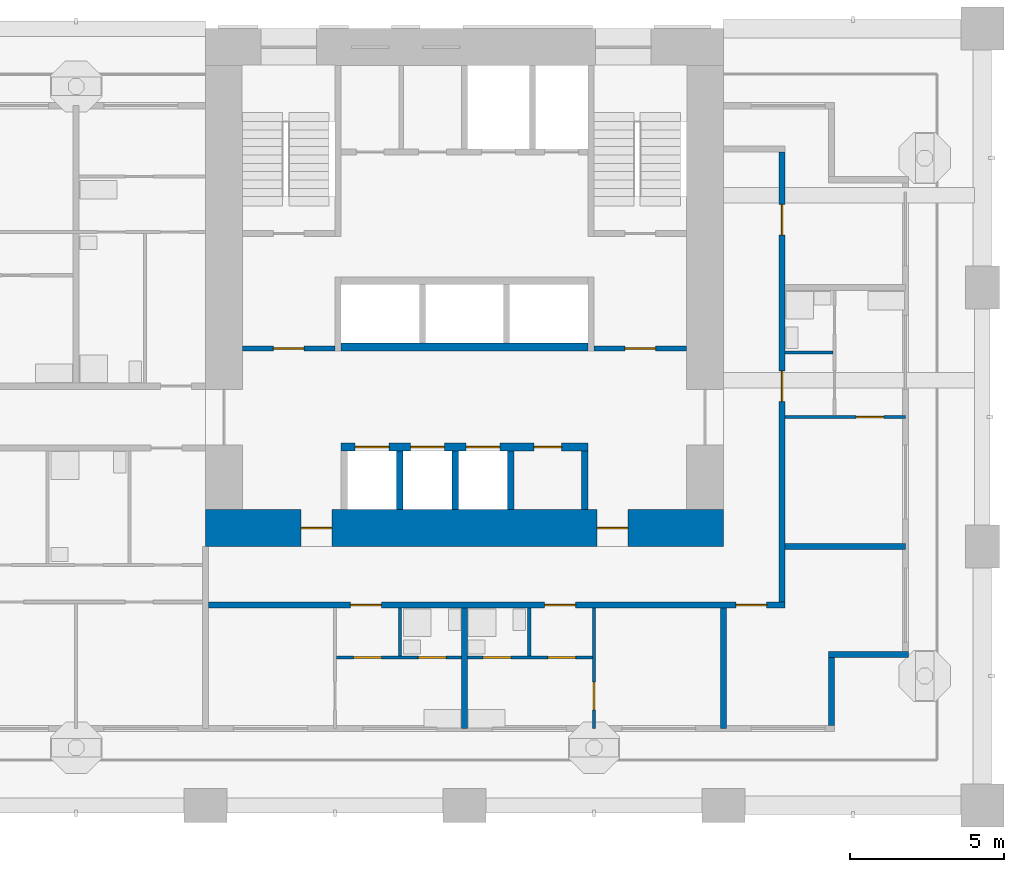
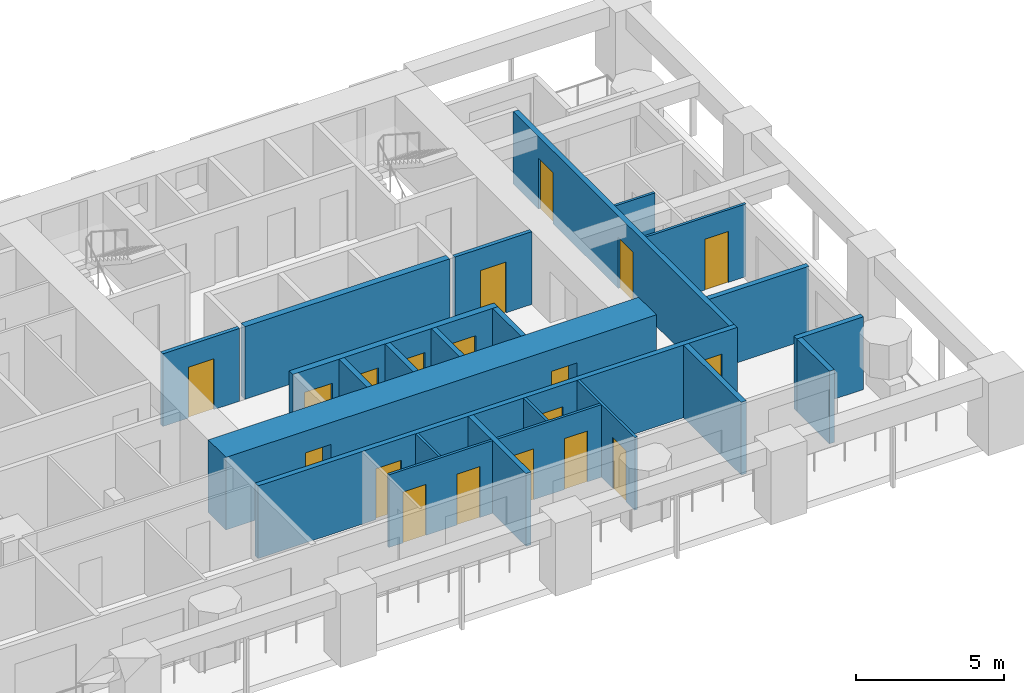
# One storey, part 6 of 21: 22 walls, 19 doors, 19 openings.
"""IFC4 building model written with IfcOpenShell, lengths in metres."""

from ifc_helpers import new_model, si_unit, direction, frame, frame_2d, origin, place, context, subcontext, project, spatial, rectangle, extrude, material, layer, layer_set, type_object, element, fill, save


model = new_model("IFC4")

# Units and contexts
model_context = context("Model", 3, precision=1e-05, world=origin(), true_north=direction((0.0, 1.0)))
body_context = subcontext(model_context, "Body", "Model", "MODEL_VIEW")
ifc_project = project(units=[si_unit("LENGTHUNIT", "METRE"), si_unit("AREAUNIT", "SQUARE_METRE"), si_unit("VOLUMEUNIT", "CUBIC_METRE"), si_unit("PLANEANGLEUNIT", "RADIAN"), si_unit("MASSUNIT", "GRAM", prefix="KILO")], contexts=[model_context])

# Site, building, storey
site_placement = place(None, origin())
site = spatial("IfcSite", under=ifc_project, at=site_placement, CompositionType="ELEMENT")
building_placement = place(site_placement, origin())
building = spatial("IfcBuilding", under=site, at=building_placement, Name="Vermilion Gate Residences", CompositionType="ELEMENT")
storey_placement = place(building_placement, frame((0.0, 0.0, 70.699951171875)))
storey = spatial("IfcBuildingStorey", under=building, at=storey_placement, Name="L17", CompositionType="ELEMENT", Elevation=70.699951171875)

# Wall, opening, door
ifc_material_1 = material(Name="Masonry blockwork", Category="masonry")
ifc_layer_1 = layer(ifc_material_1, 0.14990234375)
ifc_layer_set_1 = layer_set([ifc_layer_1], Name="BLOCKWORK PARTITION 150 EI 120")
wall_type_1 = type_object("IfcWallType", Name="BLOCKWORK PARTITION 150 EI 120", PredefinedType="PARTITIONING", material=ifc_layer_set_1)
wall_1_placement = place(storey_placement, frame((43.199951171875, 14.824951171875, 0.0), z_axis=(0.0, 0.0, 1.0), x_axis=(1.0, 0.0, 0.0)))
wall_1 = element("IfcWall", 1, at=wall_1_placement, inside=storey, type_object=wall_type_1, Name="Core room partition A17-VW-S", PredefinedType="PARTITIONING", context=body_context, shape_type="SweptSolid", body=[
    extrude(rectangle(XDim=3.0, YDim=0.14990234375, at=frame_2d((1.5, 0.0))), origin(), (0.0, 0.0, 1.0), 3.0),
])
opening_1_placement = place(wall_1_placement, frame((1.0, 0.0, 0.0)))
opening_1 = element("IfcOpeningElement", 2, at=opening_1_placement, cuts=wall_1, Name="Opening DK17013", PredefinedType="OPENING", context=body_context, shape_type="SweptSolid", body=[
    extrude(rectangle(XDim=1.0, YDim=2.10009765625, at=frame_2d((0.5, 1.050048828125))), frame((0.0, 0.0849609375, 0.0), z_axis=(0.0, -1.0, 0.0), x_axis=(1.0, 0.0, 0.0)), (0.0, 0.0, 1.0), 0.169921875),
])
ifc_material_2 = material(Name="Steel", Category="steel")
door_type_1 = type_object("IfcDoorType", Name="FIRE DOOR FD60 1000 X 2100", OperationType="SINGLE_SWING_LEFT", PredefinedType="DOOR", material=ifc_material_2)
door_1_placement = place(opening_1_placement, frame((1.0, 0.0, 0.0), z_axis=(0.0, 0.0, 1.0), x_axis=(-1.0, 0.0, 0.0)))
door_1 = element("IfcDoor", 3, at=door_1_placement, inside=storey, type_object=door_type_1, Name="Stair vestibule door A17", OperationType="SINGLE_SWING_RIGHT", OverallHeight=2.10009765625, OverallWidth=1.0, PredefinedType="DOOR", context=body_context, shape_type="SweptSolid", body=[
    extrude(rectangle(XDim=1.0, YDim=2.10009765625, at=frame_2d((0.5, 1.050048828125))), frame((0.0, 0.02490234375, 0.0), z_axis=(0.0, -1.0, 0.0), x_axis=(1.0, 0.0, 0.0)), (0.0, 0.0, 1.0), 0.050048828125),
])
fill(opening_1, door_1)

wall_2_placement = place(storey_placement, frame((54.60009765625, 14.824951171875, 0.0), z_axis=(0.0, 0.0, 1.0), x_axis=(1.0, 0.0, 0.0)))
wall_2 = element("IfcWall", 4, at=wall_2_placement, inside=storey, type_object=wall_type_1, Name="Core room partition A17-VE-S", PredefinedType="PARTITIONING", context=body_context, shape_type="SweptSolid", body=[
    extrude(rectangle(XDim=3.0, YDim=0.14990234375, at=frame_2d((1.5, 0.0))), origin(), (0.0, 0.0, 1.0), 3.0),
])
opening_2_placement = place(wall_2_placement, frame((1.0, 0.0, 0.0)))
opening_2 = element("IfcOpeningElement", 5, at=opening_2_placement, cuts=wall_2, Name="Opening DK17015", PredefinedType="OPENING", context=body_context, shape_type="SweptSolid", body=[
    extrude(rectangle(XDim=1.0, YDim=2.10009765625, at=frame_2d((0.5, 1.050048828125))), frame((0.0, 0.0849609375, 0.0), z_axis=(0.0, -1.0, 0.0), x_axis=(1.0, 0.0, 0.0)), (0.0, 0.0, 1.0), 0.169921875),
])
door_2_placement = place(opening_2_placement, frame((1.0, 0.0, 0.0), z_axis=(0.0, 0.0, 1.0), x_axis=(-1.0, 0.0, 0.0)))
door_2 = element("IfcDoor", 6, at=door_2_placement, inside=storey, type_object=door_type_1, Name="Stair vestibule door A17", OperationType="SINGLE_SWING_LEFT", OverallHeight=2.10009765625, OverallWidth=1.0, PredefinedType="DOOR", context=body_context, shape_type="SweptSolid", body=[
    extrude(rectangle(XDim=1.0, YDim=2.10009765625, at=frame_2d((0.5, 1.050048828125))), frame((0.0, 0.02490234375, 0.0), z_axis=(0.0, -1.0, 0.0), x_axis=(1.0, 0.0, 0.0)), (0.0, 0.0, 1.0), 0.050048828125),
])
fill(opening_2, door_2)

# Walls
ifc_material_3 = material(Name="Insulated steel stud wall with terracotta rainscreen", Category="masonry")
ifc_layer_2 = layer(ifc_material_3, 0.199951171875)
ifc_layer_set_2 = layer_set([ifc_layer_2], Name="EXTERNAL WALL 200 TERRACOTTA RAINSCREEN")
wall_type_2 = type_object("IfcWallType", Name="EXTERNAL WALL 200 TERRACOTTA RAINSCREEN", PredefinedType="SOLIDWALL", material=ifc_layer_set_2)
wall_3_placement = place(storey_placement, frame((62.300048828125, 2.60009765625, 0.0), z_axis=(0.0, 0.0, 1.0), x_axis=(0.0, 1.0, 0.0)))
element("IfcWall", 7, at=wall_3_placement, inside=storey, type_object=wall_type_2, Name="External wall", PredefinedType="SOLIDWALL", context=body_context, shape_type="SweptSolid", body=[
    extrude(rectangle(XDim=2.199951171875, YDim=0.199951171875, at=frame_2d((1.10009765625, 0.0))), origin(), (0.0, 0.0, 1.0), 3.0),
])
wall_4_placement = place(storey_placement, frame((62.199951171875, 4.89990234375, 0.0), z_axis=(0.0, 0.0, 1.0), x_axis=(1.0, 0.0, 0.0)))
element("IfcWall", 8, at=wall_4_placement, inside=storey, type_object=wall_type_2, Name="External wall", PredefinedType="SOLIDWALL", context=body_context, shape_type="SweptSolid", body=[
    extrude(rectangle(XDim=2.60009765625, YDim=0.199951171875, at=frame_2d((1.300048828125, 0.0))), origin(), (0.0, 0.0, 1.0), 3.0),
])

# Wall, openings, doors
ifc_material_4 = material(Name="Plasterboard on steel studs", Category="steel")
ifc_layer_3 = layer(ifc_material_4, 0.10009765625)
ifc_layer_set_3 = layer_set([ifc_layer_3], Name="PARTITION 100")
wall_type_3 = type_object("IfcWallType", Name="PARTITION 100", PredefinedType="PARTITIONING", material=ifc_layer_set_3)
wall_5_placement = place(storey_placement, frame((46.25, 4.800048828125, 0.0), z_axis=(0.0, 0.0, 1.0), x_axis=(1.0, 0.0, 0.0)))
wall_5 = element("IfcWall", 9, at=wall_5_placement, inside=storey, type_object=wall_type_3, Name="Partition", PredefinedType="PARTITIONING", context=body_context, shape_type="SweptSolid", body=[
    extrude(rectangle(XDim=8.300048828125, YDim=0.10009765625, at=frame_2d((4.14990234375, 0.0))), origin(), (0.0, 0.0, 1.0), 3.0),
])
opening_3_placement = place(wall_5_placement, frame((0.550048828125, 0.0, 0.0)))
opening_3 = element("IfcOpeningElement", 10, at=opening_3_placement, cuts=wall_5, Name="Opening DA16002", PredefinedType="OPENING", context=body_context, shape_type="SweptSolid", body=[
    extrude(rectangle(XDim=0.89990234375, YDim=2.10009765625, at=frame_2d((0.449951171875, 1.050048828125))), frame((0.0, 0.06005859375, 0.0), z_axis=(0.0, -1.0, 0.0), x_axis=(1.0, 0.0, 0.0)), (0.0, 0.0, 1.0), 0.1201171875),
])
opening_4_placement = place(wall_5_placement, frame((2.64990234375, 0.0, 0.0)))
opening_4 = element("IfcOpeningElement", 11, at=opening_4_placement, cuts=wall_5, Name="Opening DA16003", PredefinedType="OPENING", context=body_context, shape_type="SweptSolid", body=[
    extrude(rectangle(XDim=0.89990234375, YDim=2.10009765625, at=frame_2d((0.449951171875, 1.050048828125))), frame((0.0, 0.06005859375, 0.0), z_axis=(0.0, -1.0, 0.0), x_axis=(1.0, 0.0, 0.0)), (0.0, 0.0, 1.0), 0.1201171875),
])
opening_5_placement = place(wall_5_placement, frame((6.85009765625, 0.0, 0.0)))
opening_5 = element("IfcOpeningElement", 12, at=opening_5_placement, cuts=wall_5, Name="Opening DA16004", PredefinedType="OPENING", context=body_context, shape_type="SweptSolid", body=[
    extrude(rectangle(XDim=0.89990234375, YDim=2.10009765625, at=frame_2d((0.449951171875, 1.050048828125))), frame((0.0, 0.06005859375, 0.0), z_axis=(0.0, -1.0, 0.0), x_axis=(1.0, 0.0, 0.0)), (0.0, 0.0, 1.0), 0.1201171875),
])
opening_6_placement = place(wall_5_placement, frame((4.75, 0.0, 0.0)))
opening_6 = element("IfcOpeningElement", 13, at=opening_6_placement, cuts=wall_5, Name="Opening DA16005", PredefinedType="OPENING", context=body_context, shape_type="SweptSolid", body=[
    extrude(rectangle(XDim=0.89990234375, YDim=2.10009765625, at=frame_2d((0.449951171875, 1.050048828125))), frame((0.0, 0.06005859375, 0.0), z_axis=(0.0, -1.0, 0.0), x_axis=(1.0, 0.0, 0.0)), (0.0, 0.0, 1.0), 0.1201171875),
])
ifc_material_5 = material(Name="Timber", Category="wood")
door_type_2 = type_object("IfcDoorType", Name="INTERIOR DOOR 900 X 2100", OperationType="SINGLE_SWING_LEFT", PredefinedType="DOOR", material=ifc_material_5)
door_3_placement = place(opening_3_placement, frame((0.89990234375, 0.0, 0.0), z_axis=(0.0, 0.0, 1.0), x_axis=(-1.0, 0.0, 0.0)))
door_3 = element("IfcDoor", 14, at=door_3_placement, inside=storey, type_object=door_type_2, Name="Interior door", OperationType="SINGLE_SWING_RIGHT", OverallHeight=2.10009765625, OverallWidth=0.89990234375, PredefinedType="DOOR", context=body_context, shape_type="SweptSolid", body=[
    extrude(rectangle(XDim=0.89990234375, YDim=2.10009765625, at=frame_2d((0.449951171875, 1.050048828125))), frame((0.0, 0.02490234375, 0.0), z_axis=(0.0, -1.0, 0.0), x_axis=(1.0, 0.0, 0.0)), (0.0, 0.0, 1.0), 0.050048828125),
])
fill(opening_3, door_3)
door_4_placement = place(opening_4_placement, origin())
door_4 = element("IfcDoor", 15, at=door_4_placement, inside=storey, type_object=door_type_2, Name="Interior door", OperationType="SINGLE_SWING_RIGHT", OverallHeight=2.10009765625, OverallWidth=0.89990234375, PredefinedType="DOOR", context=body_context, shape_type="SweptSolid", body=[
    extrude(rectangle(XDim=0.89990234375, YDim=2.10009765625, at=frame_2d((0.449951171875, 1.050048828125))), frame((0.0, 0.02490234375, 0.0), z_axis=(0.0, -1.0, 0.0), x_axis=(1.0, 0.0, 0.0)), (0.0, 0.0, 1.0), 0.050048828125),
])
fill(opening_4, door_4)
door_5_placement = place(opening_5_placement, frame((0.89990234375, 0.0, 0.0), z_axis=(0.0, 0.0, 1.0), x_axis=(-1.0, 0.0, 0.0)))
door_5 = element("IfcDoor", 16, at=door_5_placement, inside=storey, type_object=door_type_2, Name="Interior door", OperationType="SINGLE_SWING_LEFT", OverallHeight=2.10009765625, OverallWidth=0.89990234375, PredefinedType="DOOR", context=body_context, shape_type="SweptSolid", body=[
    extrude(rectangle(XDim=0.89990234375, YDim=2.10009765625, at=frame_2d((0.449951171875, 1.050048828125))), frame((0.0, 0.02490234375, 0.0), z_axis=(0.0, -1.0, 0.0), x_axis=(1.0, 0.0, 0.0)), (0.0, 0.0, 1.0), 0.050048828125),
])
fill(opening_5, door_5)
door_6_placement = place(opening_6_placement, origin())
door_6 = element("IfcDoor", 17, at=door_6_placement, inside=storey, type_object=door_type_2, Name="Interior door", OperationType="SINGLE_SWING_RIGHT", OverallHeight=2.10009765625, OverallWidth=0.89990234375, PredefinedType="DOOR", context=body_context, shape_type="SweptSolid", body=[
    extrude(rectangle(XDim=0.89990234375, YDim=2.10009765625, at=frame_2d((0.449951171875, 1.050048828125))), frame((0.0, 0.02490234375, 0.0), z_axis=(0.0, -1.0, 0.0), x_axis=(1.0, 0.0, 0.0)), (0.0, 0.0, 1.0), 0.050048828125),
])
fill(opening_6, door_6)

# Wall, opening, door
wall_6_placement = place(storey_placement, frame((60.800048828125, 12.60009765625, 0.0), z_axis=(0.0, 0.0, 1.0), x_axis=(1.0, 0.0, 0.0)))
wall_6 = element("IfcWall", 18, at=wall_6_placement, inside=storey, type_object=wall_type_3, Name="Partition", PredefinedType="PARTITIONING", context=body_context, shape_type="SweptSolid", body=[
    extrude(rectangle(XDim=3.89990234375, YDim=0.10009765625, at=frame_2d((1.949951171875, 0.0))), origin(), (0.0, 0.0, 1.0), 3.0),
])
opening_7_placement = place(wall_6_placement, frame((2.300048828125, 0.0, 0.0)))
opening_7 = element("IfcOpeningElement", 19, at=opening_7_placement, cuts=wall_6, Name="Opening DA16029", PredefinedType="OPENING", context=body_context, shape_type="SweptSolid", body=[
    extrude(rectangle(XDim=0.89990234375, YDim=2.10009765625, at=frame_2d((0.449951171875, 1.050048828125))), frame((0.0, 0.06005859375, 0.0), z_axis=(0.0, -1.0, 0.0), x_axis=(1.0, 0.0, 0.0)), (0.0, 0.0, 1.0), 0.1201171875),
])
door_7_placement = place(opening_7_placement, origin())
door_7 = element("IfcDoor", 20, at=door_7_placement, inside=storey, type_object=door_type_2, Name="Interior door", OperationType="SINGLE_SWING_RIGHT", OverallHeight=2.10009765625, OverallWidth=0.89990234375, PredefinedType="DOOR", context=body_context, shape_type="SweptSolid", body=[
    extrude(rectangle(XDim=0.89990234375, YDim=2.10009765625, at=frame_2d((0.449951171875, 1.050048828125))), frame((0.0, 0.02490234375, 0.0), z_axis=(0.0, -1.0, 0.0), x_axis=(1.0, 0.0, 0.0)), (0.0, 0.0, 1.0), 0.050048828125),
])
fill(opening_7, door_7)

# Walls
wall_7_placement = place(storey_placement, frame((60.800048828125, 14.699951171875, 0.0), z_axis=(0.0, 0.0, 1.0), x_axis=(1.0, 0.0, 0.0)))
element("IfcWall", 21, at=wall_7_placement, inside=storey, type_object=wall_type_3, Name="Partition", PredefinedType="PARTITIONING", context=body_context, shape_type="SweptSolid", body=[
    extrude(rectangle(XDim=1.550048828125, YDim=0.10009765625, at=frame_2d((0.77490234375, 0.0))), origin(), (0.0, 0.0, 1.0), 3.0),
])
for number, where, z_axis, x_axis, name in (
    (22, (48.300048828125, 4.85009765625, 0.0), (0.0, 0.0, 1.0), (0.0, 1.0, 0.0), "Partition"),
    (23, (52.5, 4.85009765625, 0.0), (0.0, 0.0, 1.0), (0.0, 1.0, 0.0), "Partition"),
):
    element("IfcWall", number, at=place(storey_placement, frame(where, z_axis=z_axis, x_axis=x_axis)), inside=storey, type_object=wall_type_3, Name=name, PredefinedType="PARTITIONING", context=body_context, shape_type="SweptSolid", body=[
        extrude(rectangle(XDim=1.5498046875, YDim=0.10009765625, at=frame_2d((0.77490234375, 0.0))), origin(), (0.0, 0.0, 1.0), 3.0),
    ])

# Wall, opening, door
wall_8_placement = place(storey_placement, frame((54.60009765625, 2.5, 0.0), z_axis=(0.0, 0.0, 1.0), x_axis=(0.0, 1.0, 0.0)))
wall_8 = element("IfcWall", 24, at=wall_8_placement, inside=storey, type_object=wall_type_3, Name="Partition", PredefinedType="PARTITIONING", context=body_context, shape_type="SweptSolid", body=[
    extrude(rectangle(XDim=3.89990234375, YDim=0.10009765625, at=frame_2d((1.949951171875, 0.0))), origin(), (0.0, 0.0, 1.0), 3.0),
])
opening_8_placement = place(wall_8_placement, frame((0.60009765625, 0.0, 0.0)))
opening_8 = element("IfcOpeningElement", 25, at=opening_8_placement, cuts=wall_8, Name="Opening DA16082", PredefinedType="OPENING", context=body_context, shape_type="SweptSolid", body=[
    extrude(rectangle(XDim=0.89990234375, YDim=2.10009765625, at=frame_2d((0.449951171875, 1.050048828125))), frame((0.0, 0.06005859375, 0.0), z_axis=(0.0, -1.0, 0.0), x_axis=(1.0, 0.0, 0.0)), (0.0, 0.0, 1.0), 0.1201171875),
])
door_8_placement = place(opening_8_placement, origin())
door_8 = element("IfcDoor", 26, at=door_8_placement, inside=storey, type_object=door_type_2, Name="Interior door", OperationType="SINGLE_SWING_LEFT", OverallHeight=2.10009765625, OverallWidth=0.89990234375, PredefinedType="DOOR", context=body_context, shape_type="SweptSolid", body=[
    extrude(rectangle(XDim=0.89990234375, YDim=2.10009765625, at=frame_2d((0.449951171875, 1.050048828125))), frame((0.0, 0.02490234375, 0.0), z_axis=(0.0, -1.0, 0.0), x_axis=(1.0, 0.0, 0.0)), (0.0, 0.0, 1.0), 0.050048828125),
])
fill(opening_8, door_8)

# Wall, openings, doors
ifc_material_6 = material(Name="Fire-rated plasterboard on steel studs", Category="steel")
ifc_layer_4 = layer(ifc_material_6, 0.199951171875)
ifc_layer_set_4 = layer_set([ifc_layer_4], Name="PARTY WALL 200 EI 120")
wall_type_4 = type_object("IfcWallType", Name="PARTY WALL 200 EI 120", PredefinedType="PARTITIONING", material=ifc_layer_set_4)
wall_9_placement = place(storey_placement, frame((42.10009765625, 6.5, 0.0), z_axis=(0.0, 0.0, 1.0), x_axis=(1.0, 0.0, 0.0)))
wall_9 = element("IfcWall", 27, at=wall_9_placement, inside=storey, type_object=wall_type_4, Name="Party and corridor wall", PredefinedType="PARTITIONING", context=body_context, shape_type="SweptSolid", body=[
    extrude(rectangle(XDim=18.699951171875, YDim=0.199951171875, at=frame_2d((9.35009765625, 0.0))), origin(), (0.0, 0.0, 1.0), 3.0),
])
opening_9_placement = place(wall_9_placement, frame((4.60009765625, 0.0, 0.0)))
opening_9 = element("IfcOpeningElement", 28, at=opening_9_placement, cuts=wall_9, Name="Opening DA16006", PredefinedType="OPENING", context=body_context, shape_type="SweptSolid", body=[
    extrude(rectangle(XDim=1.0, YDim=2.10009765625, at=frame_2d((0.5, 1.050048828125))), frame((0.0, 0.10986328125, 0.0), z_axis=(0.0, -1.0, 0.0), x_axis=(1.0, 0.0, 0.0)), (0.0, 0.0, 1.0), 0.219970703125),
])
opening_10_placement = place(wall_9_placement, frame((10.89990234375, 0.0, 0.0)))
opening_10 = element("IfcOpeningElement", 29, at=opening_10_placement, cuts=wall_9, Name="Opening DA16007", PredefinedType="OPENING", context=body_context, shape_type="SweptSolid", body=[
    extrude(rectangle(XDim=1.0, YDim=2.10009765625, at=frame_2d((0.5, 1.050048828125))), frame((0.0, 0.10986328125, 0.0), z_axis=(0.0, -1.0, 0.0), x_axis=(1.0, 0.0, 0.0)), (0.0, 0.0, 1.0), 0.219970703125),
])
opening_11_placement = place(wall_9_placement, frame((17.10009765625, 0.0, 0.0)))
opening_11 = element("IfcOpeningElement", 30, at=opening_11_placement, cuts=wall_9, Name="Opening DA16008", PredefinedType="OPENING", context=body_context, shape_type="SweptSolid", body=[
    extrude(rectangle(XDim=1.0, YDim=2.10009765625, at=frame_2d((0.5, 1.050048828125))), frame((0.0, 0.10986328125, 0.0), z_axis=(0.0, -1.0, 0.0), x_axis=(1.0, 0.0, 0.0)), (0.0, 0.0, 1.0), 0.219970703125),
])
ifc_material_7 = material(Name="Steel", Category="steel")
door_type_3 = type_object("IfcDoorType", Name="ENTRANCE DOOR 1000 X 2100 FD30", OperationType="SINGLE_SWING_LEFT", PredefinedType="DOOR", material=ifc_material_7)
door_9_placement = place(opening_9_placement, frame((1.0, 0.0, 0.0), z_axis=(0.0, 0.0, 1.0), x_axis=(-1.0, 0.0, 0.0)))
door_9 = element("IfcDoor", 31, at=door_9_placement, inside=storey, type_object=door_type_3, Name="Entrance door", OperationType="SINGLE_SWING_RIGHT", OverallHeight=2.10009765625, OverallWidth=1.0, PredefinedType="DOOR", context=body_context, shape_type="SweptSolid", body=[
    extrude(rectangle(XDim=1.0, YDim=2.10009765625, at=frame_2d((0.5, 1.050048828125))), frame((0.0, 0.02490234375, 0.0), z_axis=(0.0, -1.0, 0.0), x_axis=(1.0, 0.0, 0.0)), (0.0, 0.0, 1.0), 0.050048828125),
])
fill(opening_9, door_9)
door_10_placement = place(opening_10_placement, frame((1.0, 0.0, 0.0), z_axis=(0.0, 0.0, 1.0), x_axis=(-1.0, 0.0, 0.0)))
door_10 = element("IfcDoor", 32, at=door_10_placement, inside=storey, type_object=door_type_3, Name="Entrance door", OperationType="SINGLE_SWING_RIGHT", OverallHeight=2.10009765625, OverallWidth=1.0, PredefinedType="DOOR", context=body_context, shape_type="SweptSolid", body=[
    extrude(rectangle(XDim=1.0, YDim=2.10009765625, at=frame_2d((0.5, 1.050048828125))), frame((0.0, 0.02490234375, 0.0), z_axis=(0.0, -1.0, 0.0), x_axis=(1.0, 0.0, 0.0)), (0.0, 0.0, 1.0), 0.050048828125),
])
fill(opening_10, door_10)
door_11_placement = place(opening_11_placement, frame((1.0, 0.0, 0.0), z_axis=(0.0, 0.0, 1.0), x_axis=(-1.0, 0.0, 0.0)))
door_11 = element("IfcDoor", 33, at=door_11_placement, inside=storey, type_object=door_type_3, Name="Entrance door", OperationType="SINGLE_SWING_RIGHT", OverallHeight=2.10009765625, OverallWidth=1.0, PredefinedType="DOOR", context=body_context, shape_type="SweptSolid", body=[
    extrude(rectangle(XDim=1.0, YDim=2.10009765625, at=frame_2d((0.5, 1.050048828125))), frame((0.0, 0.02490234375, 0.0), z_axis=(0.0, -1.0, 0.0), x_axis=(1.0, 0.0, 0.0)), (0.0, 0.0, 1.0), 0.050048828125),
])
fill(opening_11, door_11)

# Walls
for number, where, z_axis, x_axis, name in (
    (34, (60.800048828125, 8.39990234375, 0.0), (0.0, 0.0, 1.0), (1.0, 0.0, 0.0), "Party and corridor wall"),
    (35, (50.39990234375, 2.5, 0.0), (0.0, 0.0, 1.0), (0.0, 1.0, 0.0), "Party and corridor wall"),
    (36, (58.800048828125, 2.5, 0.0), (0.0, 0.0, 1.0), (0.0, 1.0, 0.0), "Party and corridor wall"),
):
    element("IfcWall", number, at=place(storey_placement, frame(where, z_axis=z_axis, x_axis=x_axis)), inside=storey, type_object=wall_type_4, Name=name, PredefinedType="PARTITIONING", context=body_context, shape_type="SweptSolid", body=[
        extrude(rectangle(XDim=3.89990234375, YDim=0.199951171875, at=frame_2d((1.949951171875, 0.0))), origin(), (0.0, 0.0, 1.0), 3.0),
    ])

# Wall, openings, doors
wall_10_placement = place(storey_placement, frame((60.699951171875, 6.60009765625, 0.0), z_axis=(0.0, 0.0, 1.0), x_axis=(0.0, 1.0, 0.0)))
wall_10 = element("IfcWall", 37, at=wall_10_placement, inside=storey, type_object=wall_type_4, Name="Party and corridor wall", PredefinedType="PARTITIONING", context=body_context, shape_type="SweptSolid", body=[
    extrude(rectangle(XDim=14.599853515625, YDim=0.199951171875, at=frame_2d((7.2998046875, 0.0))), origin(), (0.0, 0.0, 1.0), 3.0),
])
opening_12_placement = place(wall_10_placement, frame((6.5, 0.0, 0.0)))
opening_12 = element("IfcOpeningElement", 38, at=opening_12_placement, cuts=wall_10, Name="Opening DA16083", PredefinedType="OPENING", context=body_context, shape_type="SweptSolid", body=[
    extrude(rectangle(XDim=1.0, YDim=2.10009765625, at=frame_2d((0.5, 1.050048828125))), frame((0.0, 0.10986328125, 0.0), z_axis=(0.0, -1.0, 0.0), x_axis=(1.0, 0.0, 0.0)), (0.0, 0.0, 1.0), 0.219970703125),
])
opening_13_placement = place(wall_10_placement, frame((11.89990234375, 0.0, 0.0)))
opening_13 = element("IfcOpeningElement", 39, at=opening_13_placement, cuts=wall_10, Name="Opening DA16084", PredefinedType="OPENING", context=body_context, shape_type="SweptSolid", body=[
    extrude(rectangle(XDim=1.0, YDim=2.10009765625, at=frame_2d((0.5, 1.050048828125))), frame((0.0, 0.10986328125, 0.0), z_axis=(0.0, -1.0, 0.0), x_axis=(1.0, 0.0, 0.0)), (0.0, 0.0, 1.0), 0.219970703125),
])
door_12_placement = place(opening_12_placement, frame((1.0, 0.0, 0.0), z_axis=(0.0, 0.0, 1.0), x_axis=(-1.0, 0.0, 0.0)))
door_12 = element("IfcDoor", 40, at=door_12_placement, inside=storey, type_object=door_type_3, Name="Entrance door", OperationType="SINGLE_SWING_RIGHT", OverallHeight=2.10009765625, OverallWidth=1.0, PredefinedType="DOOR", context=body_context, shape_type="SweptSolid", body=[
    extrude(rectangle(XDim=1.0, YDim=2.10009765625, at=frame_2d((0.5, 1.050048828125))), frame((0.0, 0.02490234375, 0.0), z_axis=(0.0, -1.0, 0.0), x_axis=(1.0, 0.0, 0.0)), (0.0, 0.0, 1.0), 0.050048828125),
])
fill(opening_12, door_12)
door_13_placement = place(opening_13_placement, frame((1.0, 0.0, 0.0), z_axis=(0.0, 0.0, 1.0), x_axis=(-1.0, 0.0, 0.0)))
door_13 = element("IfcDoor", 41, at=door_13_placement, inside=storey, type_object=door_type_3, Name="Entrance door", OperationType="SINGLE_SWING_RIGHT", OverallHeight=2.10009765625, OverallWidth=1.0, PredefinedType="DOOR", context=body_context, shape_type="SweptSolid", body=[
    extrude(rectangle(XDim=1.0, YDim=2.10009765625, at=frame_2d((0.5, 1.050048828125))), frame((0.0, 0.02490234375, 0.0), z_axis=(0.0, -1.0, 0.0), x_axis=(1.0, 0.0, 0.0)), (0.0, 0.0, 1.0), 0.050048828125),
])
fill(opening_13, door_13)

# Walls
ifc_material_8 = material(Name="Concrete C60", Category="concrete")
ifc_layer_5 = layer(ifc_material_8, 0.199951171875)
ifc_layer_set_5 = layer_set([ifc_layer_5], Name="RC CORE INTERNAL WALL 200 C60")
wall_type_5 = type_object("IfcWallType", Name="RC CORE INTERNAL WALL 200 C60", PredefinedType="SHEAR", material=ifc_layer_set_5)
for number, where, z_axis, x_axis, name in (
    (42, (48.300048828125, 9.60009765625, 0.0), (0.0, 0.0, 1.0), (0.0, 1.0, 0.0), "Core internal wall A17-LR-D1"),
    (43, (50.10009765625, 9.60009765625, 0.0), (0.0, 0.0, 1.0), (0.0, 1.0, 0.0), "Core internal wall A17-LR-D2"),
    (44, (51.89990234375, 9.60009765625, 0.0), (0.0, 0.0, 1.0), (0.0, 1.0, 0.0), "Core internal wall A17-LR-D3"),
    (45, (54.300048828125, 9.60009765625, 0.0), (0.0, 0.0, 1.0), (0.0, 1.0, 0.0), "Core internal wall A17-LR-DE"),
):
    element("IfcWall", number, at=place(storey_placement, frame(where, z_axis=z_axis, x_axis=x_axis)), inside=storey, type_object=wall_type_5, Name=name, PredefinedType="SHEAR", context=body_context, shape_type="SweptSolid", body=[
        extrude(rectangle(XDim=1.89990234375, YDim=0.199951171875, at=frame_2d((0.949951171875, 0.0))), origin(), (0.0, 0.0, 1.0), 3.0),
    ])

# Wall, openings, doors
ifc_material_9 = material(Name="Concrete C80", Category="concrete")
ifc_layer_6 = layer(ifc_material_9, 1.199951171875)
ifc_layer_set_6 = layer_set([ifc_layer_6], Name="RC CORE WALL 1200 C80")
wall_type_6 = type_object("IfcWallType", Name="RC CORE WALL 1200 C80", PredefinedType="SHEAR", material=ifc_layer_set_6)
wall_11_placement = place(storey_placement, frame((42.0, 9.0, 0.0), z_axis=(0.0, 0.0, 1.0), x_axis=(1.0, 0.0, 0.0)))
wall_11 = element("IfcWall", 46, at=wall_11_placement, inside=storey, type_object=wall_type_6, Name="Core wall A17-OUT-B0", PredefinedType="SHEAR", context=body_context, shape_type="SweptSolid", body=[
    extrude(rectangle(XDim=16.800048828125, YDim=1.199951171875, at=frame_2d((8.39990234375, 0.0))), origin(), (0.0, 0.0, 1.0), 3.0),
])
opening_14_placement = place(wall_11_placement, frame((3.10009765625, 0.0, 0.0)))
opening_14 = element("IfcOpeningElement", 47, at=opening_14_placement, cuts=wall_11, Name="Opening DK17001", PredefinedType="OPENING", context=body_context, shape_type="SweptSolid", body=[
    extrude(rectangle(XDim=1.0, YDim=2.10009765625, at=frame_2d((0.5, 1.050048828125))), frame((0.0, 0.60986328125, 0.0), z_axis=(0.0, -1.0, 0.0), x_axis=(1.0, 0.0, 0.0)), (0.0, 0.0, 1.0), 1.219970703125),
])
opening_15_placement = place(wall_11_placement, frame((12.699951171875, 0.0, 0.0)))
opening_15 = element("IfcOpeningElement", 48, at=opening_15_placement, cuts=wall_11, Name="Opening DK17002", PredefinedType="OPENING", context=body_context, shape_type="SweptSolid", body=[
    extrude(rectangle(XDim=1.0, YDim=2.10009765625, at=frame_2d((0.5, 1.050048828125))), frame((0.0, 0.60986328125, 0.0), z_axis=(0.0, -1.0, 0.0), x_axis=(1.0, 0.0, 0.0)), (0.0, 0.0, 1.0), 1.219970703125),
])
door_14_placement = place(opening_14_placement, origin())
door_14 = element("IfcDoor", 49, at=door_14_placement, inside=storey, type_object=door_type_1, Name="Core lobby side door A17", OperationType="SINGLE_SWING_RIGHT", OverallHeight=2.10009765625, OverallWidth=1.0, PredefinedType="DOOR", context=body_context, shape_type="SweptSolid", body=[
    extrude(rectangle(XDim=1.0, YDim=2.10009765625, at=frame_2d((0.5, 1.050048828125))), frame((0.0, 0.02490234375, 0.0), z_axis=(0.0, -1.0, 0.0), x_axis=(1.0, 0.0, 0.0)), (0.0, 0.0, 1.0), 0.050048828125),
])
fill(opening_14, door_14)
door_15_placement = place(opening_15_placement, origin())
door_15 = element("IfcDoor", 50, at=door_15_placement, inside=storey, type_object=door_type_1, Name="Core lobby side door A17", OperationType="SINGLE_SWING_LEFT", OverallHeight=2.10009765625, OverallWidth=1.0, PredefinedType="DOOR", context=body_context, shape_type="SweptSolid", body=[
    extrude(rectangle(XDim=1.0, YDim=2.10009765625, at=frame_2d((0.5, 1.050048828125))), frame((0.0, 0.02490234375, 0.0), z_axis=(0.0, -1.0, 0.0), x_axis=(1.0, 0.0, 0.0)), (0.0, 0.0, 1.0), 0.050048828125),
])
fill(opening_15, door_15)

ifc_material_10 = material(Name="Concrete C60", Category="concrete")
ifc_layer_7 = layer(ifc_material_10, 0.25)
ifc_layer_set_7 = layer_set([ifc_layer_7], Name="RC LIFT SHAFT WALL 250 C60")
wall_type_7 = type_object("IfcWallType", Name="RC LIFT SHAFT WALL 250 C60", PredefinedType="SHEAR", material=ifc_layer_set_7)
wall_12_placement = place(storey_placement, frame((46.39990234375, 11.625, 0.0), z_axis=(0.0, 0.0, 1.0), x_axis=(1.0, 0.0, 0.0)))
wall_12 = element("IfcWall", 51, at=wall_12_placement, inside=storey, type_object=wall_type_7, Name="Lift shaft wall A17-LR-F", PredefinedType="SHEAR", context=body_context, shape_type="SweptSolid", body=[
    extrude(rectangle(XDim=8.0, YDim=0.25, at=frame_2d((4.0, 0.0))), origin(), (0.0, 0.0, 1.0), 3.0),
])
opening_16_placement = place(wall_12_placement, frame((0.449951171875, 0.0, 0.0)))
opening_16 = element("IfcOpeningElement", 52, at=opening_16_placement, cuts=wall_12, Name="Opening LD", PredefinedType="OPENING", context=body_context, shape_type="SweptSolid", body=[
    extrude(rectangle(XDim=1.10009765625, YDim=2.10009765625, at=frame_2d((0.550048828125, 1.050048828125))), frame((0.0, 0.135009765625, 0.0), z_axis=(0.0, -1.0, 0.0), x_axis=(1.0, 0.0, 0.0)), (0.0, 0.0, 1.0), 0.27001953125),
])
opening_17_placement = place(wall_12_placement, frame((2.25, 0.0, 0.0)))
opening_17 = element("IfcOpeningElement", 53, at=opening_17_placement, cuts=wall_12, Name="Opening LD", PredefinedType="OPENING", context=body_context, shape_type="SweptSolid", body=[
    extrude(rectangle(XDim=1.10009765625, YDim=2.10009765625, at=frame_2d((0.550048828125, 1.050048828125))), frame((0.0, 0.135009765625, 0.0), z_axis=(0.0, -1.0, 0.0), x_axis=(1.0, 0.0, 0.0)), (0.0, 0.0, 1.0), 0.27001953125),
])
opening_18_placement = place(wall_12_placement, frame((4.050048828125, 0.0, 0.0)))
opening_18 = element("IfcOpeningElement", 54, at=opening_18_placement, cuts=wall_12, Name="Opening LD", PredefinedType="OPENING", context=body_context, shape_type="SweptSolid", body=[
    extrude(rectangle(XDim=1.10009765625, YDim=2.10009765625, at=frame_2d((0.550048828125, 1.050048828125))), frame((0.0, 0.135009765625, 0.0), z_axis=(0.0, -1.0, 0.0), x_axis=(1.0, 0.0, 0.0)), (0.0, 0.0, 1.0), 0.27001953125),
])
opening_19_placement = place(wall_12_placement, frame((6.25, 0.0, 0.0)))
opening_19 = element("IfcOpeningElement", 55, at=opening_19_placement, cuts=wall_12, Name="Opening DK17008", PredefinedType="OPENING", context=body_context, shape_type="SweptSolid", body=[
    extrude(rectangle(XDim=0.89990234375, YDim=2.10009765625, at=frame_2d((0.449951171875, 1.050048828125))), frame((0.0, 0.135009765625, 0.0), z_axis=(0.0, -1.0, 0.0), x_axis=(1.0, 0.0, 0.0)), (0.0, 0.0, 1.0), 0.27001953125),
])
ifc_material_11 = material(Name="Stainless steel", Category="steel")
door_type_4 = type_object("IfcDoorType", Name="LIFT LANDING DOOR E60 1100 X 2100", OperationType="DOUBLE_DOOR_SLIDING", PredefinedType="DOOR", material=ifc_material_11)
door_16_placement = place(opening_16_placement, origin())
door_16 = element("IfcDoor", 56, at=door_16_placement, inside=storey, type_object=door_type_4, Name="Lift landing door LRA1", OperationType="DOUBLE_DOOR_SLIDING", OverallHeight=2.10009765625, OverallWidth=1.10009765625, PredefinedType="DOOR", context=body_context, shape_type="SweptSolid", body=[
    extrude(rectangle(XDim=1.10009765625, YDim=2.10009765625, at=frame_2d((0.550048828125, 1.050048828125))), frame((0.0, 0.02490234375, 0.0), z_axis=(0.0, -1.0, 0.0), x_axis=(1.0, 0.0, 0.0)), (0.0, 0.0, 1.0), 0.050048828125),
])
fill(opening_16, door_16)
door_17_placement = place(opening_17_placement, origin())
door_17 = element("IfcDoor", 57, at=door_17_placement, inside=storey, type_object=door_type_4, Name="Lift landing door LRA2", OperationType="DOUBLE_DOOR_SLIDING", OverallHeight=2.10009765625, OverallWidth=1.10009765625, PredefinedType="DOOR", context=body_context, shape_type="SweptSolid", body=[
    extrude(rectangle(XDim=1.10009765625, YDim=2.10009765625, at=frame_2d((0.550048828125, 1.050048828125))), frame((0.0, 0.02490234375, 0.0), z_axis=(0.0, -1.0, 0.0), x_axis=(1.0, 0.0, 0.0)), (0.0, 0.0, 1.0), 0.050048828125),
])
fill(opening_17, door_17)
door_18_placement = place(opening_18_placement, origin())
door_18 = element("IfcDoor", 58, at=door_18_placement, inside=storey, type_object=door_type_4, Name="Lift landing door LRA3", OperationType="DOUBLE_DOOR_SLIDING", OverallHeight=2.10009765625, OverallWidth=1.10009765625, PredefinedType="DOOR", context=body_context, shape_type="SweptSolid", body=[
    extrude(rectangle(XDim=1.10009765625, YDim=2.10009765625, at=frame_2d((0.550048828125, 1.050048828125))), frame((0.0, 0.02490234375, 0.0), z_axis=(0.0, -1.0, 0.0), x_axis=(1.0, 0.0, 0.0)), (0.0, 0.0, 1.0), 0.050048828125),
])
fill(opening_18, door_18)
ifc_material_12 = material(Name="Steel", Category="steel")
door_type_5 = type_object("IfcDoorType", Name="SERVICE ROOM DOOR FD60 900 X 2100", OperationType="SINGLE_SWING_LEFT", PredefinedType="DOOR", material=ifc_material_12)
door_19_placement = place(opening_19_placement, frame((0.89990234375, 0.0, 0.0), z_axis=(0.0, 0.0, 1.0), x_axis=(-1.0, 0.0, 0.0)))
door_19 = element("IfcDoor", 59, at=door_19_placement, inside=storey, type_object=door_type_5, Name="Parcel room A17", OperationType="SINGLE_SWING_RIGHT", OverallHeight=2.10009765625, OverallWidth=0.89990234375, PredefinedType="DOOR", context=body_context, shape_type="SweptSolid", body=[
    extrude(rectangle(XDim=0.89990234375, YDim=2.10009765625, at=frame_2d((0.449951171875, 1.050048828125))), frame((0.0, 0.02490234375, 0.0), z_axis=(0.0, -1.0, 0.0), x_axis=(1.0, 0.0, 0.0)), (0.0, 0.0, 1.0), 0.050048828125),
])
fill(opening_19, door_19)

# Wall
wall_13_placement = place(storey_placement, frame((46.39990234375, 14.875, 0.0), z_axis=(0.0, 0.0, 1.0), x_axis=(1.0, 0.0, 0.0)))
element("IfcWall", 60, at=wall_13_placement, inside=storey, type_object=wall_type_7, Name="Lift shaft wall A17-HR-F", PredefinedType="SHEAR", context=body_context, shape_type="SweptSolid", body=[
    extrude(rectangle(XDim=8.0, YDim=0.25, at=frame_2d((4.0, 0.0))), origin(), (0.0, 0.0, 1.0), 3.0),
])

save(model, "model.ifc")
